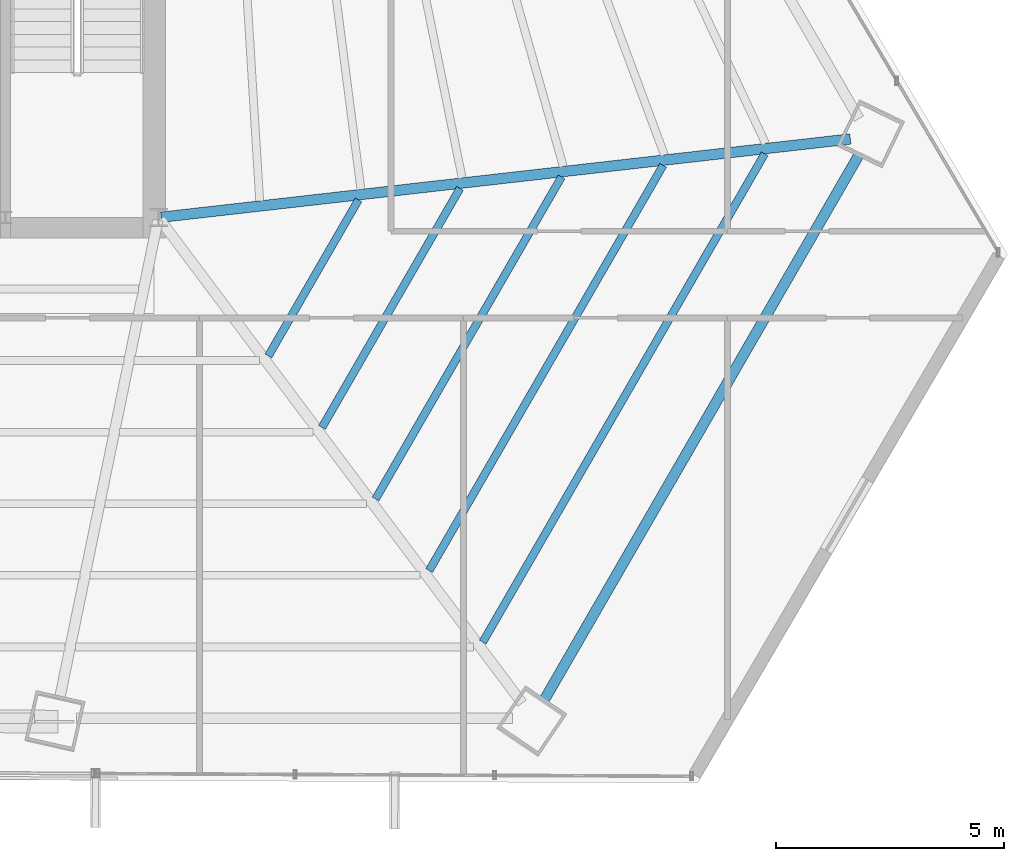
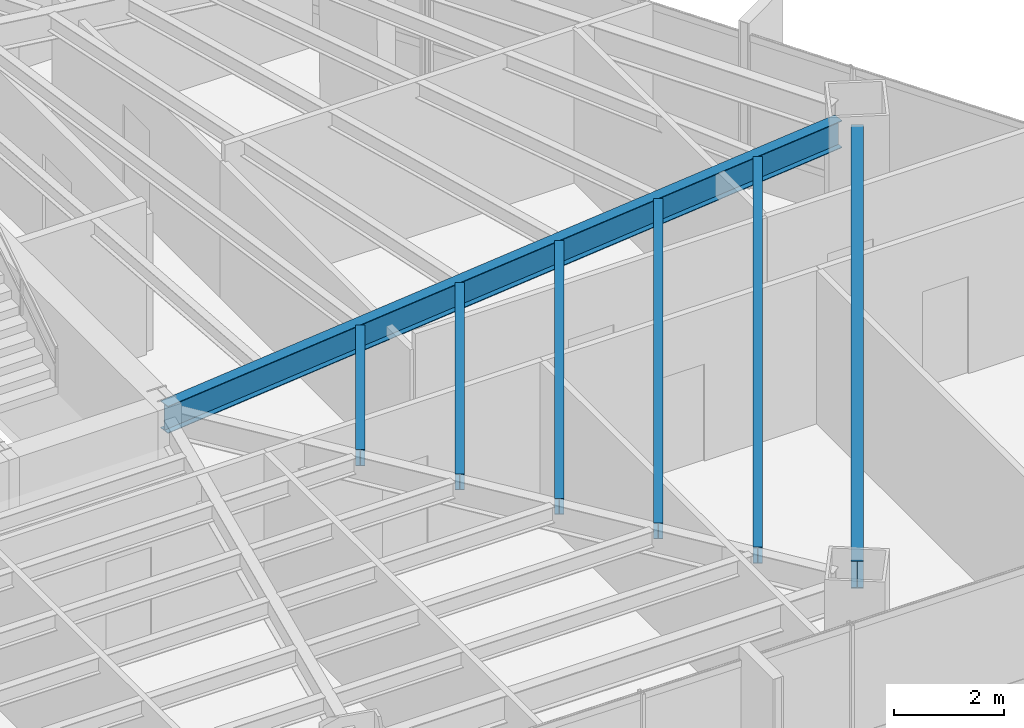
# One storey, part 18 of 37: 7 beams.
"""IFC4 building model written with IfcOpenShell, lengths in metres."""

from ifc_helpers import new_model, si_unit, direction, frame, origin, origin_2d, place, context, subcontext, project, spatial, i_section, extrude, source, transform, mapped, material, material_profile, profile_set, type_object, type_shapes, element, save


model = new_model("IFC4")

# Units and contexts
model_context = context("Model", 3, precision=1e-05, world=origin(), true_north=direction((0.0, 1.0)))
body_context = subcontext(model_context, "Body", "Model", "MODEL_VIEW")
ifc_project = project(units=[si_unit("LENGTHUNIT", "METRE"), si_unit("AREAUNIT", "SQUARE_METRE"), si_unit("VOLUMEUNIT", "CUBIC_METRE"), si_unit("PLANEANGLEUNIT", "RADIAN"), si_unit("MASSUNIT", "GRAM", prefix="KILO")], contexts=[model_context])

# Site, building, storey
site_placement = place(None, origin())
site = spatial("IfcSite", under=ifc_project, at=site_placement, CompositionType="ELEMENT")
building_placement = place(site_placement, origin())
building = spatial("IfcBuilding", under=site, at=building_placement, Name="Caelisora Broadcast Tower", CompositionType="ELEMENT")
storey_placement = place(building_placement, frame((0.0, 0.0, 105.39990234375)))
storey = spatial("IfcBuildingStorey", under=building, at=storey_placement, Name="L27", CompositionType="ELEMENT", Elevation=105.39990234375)

# Beams
ifc_material = material(Name="Steel Grade 350 (AS/NZS 3679.1)", Category="steel")
ifc_material_profile_1 = material_profile(ifc_material, i_section(OverallWidth=0.22900390625, OverallDepth=0.611572265625, WebThickness=0.011962890625, FlangeThickness=0.01953125, at=origin_2d()), Name="Steel Grade 350 (AS/NZS 3679.1)")
ifc_profile_set_1 = profile_set([ifc_material_profile_1], Name="Steel Grade 350 (AS/NZS 3679.1)")
beam_type_1 = type_object("IfcBeamType", Name="PG03", PredefinedType="BEAM", material=ifc_profile_set_1)
shared_shape_1 = source(origin(), body_context, "Body", "SweptSolid", [
    extrude(i_section(OverallWidth=0.22900390625, OverallDepth=0.611572265625, WebThickness=0.011962890625, FlangeThickness=0.01953125, at=origin_2d()), origin(), (0.0, 0.0, 1.0), 13.811767578125),
])
type_shapes(beam_type_1, [shared_shape_1])
beam_1_placement = place(storey_placement, frame((53.959228515625, 6.811767578125, 3.09423828125), z_axis=(0.500011643316, 0.866018681408, 0.0), x_axis=(-0.866018681408, 0.500011643316, 0.0)))
element("IfcBeam", 1, at=beam_1_placement, inside=storey, type_object=beam_type_1, Name="L27 beam PG03", PredefinedType="BEAM", context=body_context, shape_type="MappedRepresentation", body=[
    mapped(shared_shape_1, transform((0.0, 0.0, 0.0), scale=1.0)),
])
ifc_material_profile_2 = material_profile(ifc_material, i_section(OverallWidth=0.22802734375, OverallDepth=0.602294921875, WebThickness=0.010498046875, FlangeThickness=0.014892578125, at=origin_2d()), Name="Steel Grade 350 (AS/NZS 3679.1)")
ifc_profile_set_2 = profile_set([ifc_material_profile_2], Name="Steel Grade 350 (AS/NZS 3679.1)")
beam_type_2 = type_object("IfcBeamType", Name="PG04", PredefinedType="BEAM", material=ifc_profile_set_2)
shared_shape_2 = source(origin(), body_context, "Body", "SweptSolid", [
    extrude(i_section(OverallWidth=0.22802734375, OverallDepth=0.602294921875, WebThickness=0.010498046875, FlangeThickness=0.014892578125, at=origin_2d()), origin(), (0.0, 0.0, 1.0), 15.215576171875),
])
type_shapes(beam_type_2, [shared_shape_2])
beam_2_placement = place(storey_placement, frame((45.5595703125, 17.40673828125, 3.098876953125), z_axis=(0.993612330494, 0.112847404447, 0.0), x_axis=(-0.112847404447, 0.993612330494, 0.0)))
element("IfcBeam", 2, at=beam_2_placement, inside=storey, type_object=beam_type_2, Name="L27 beam PG04", PredefinedType="BEAM", context=body_context, shape_type="MappedRepresentation", body=[
    mapped(shared_shape_2, transform((0.0, 0.0, 0.0), scale=1.0)),
])
ifc_material_profile_3 = material_profile(ifc_material, i_section(OverallWidth=0.172119140625, OverallDepth=0.358642578125, WebThickness=0.008056640625, FlangeThickness=0.012939453125, at=origin_2d()), Name="Steel Grade 350 (AS/NZS 3679.1)")
ifc_profile_set_3 = profile_set([ifc_material_profile_3], Name="Steel Grade 350 (AS/NZS 3679.1)")
beam_type_3 = type_object("IfcBeamType", Name="SB02", PredefinedType="JOIST", material=ifc_profile_set_3)
shared_shape_3 = source(origin(), body_context, "Body", "SweptSolid", [
    extrude(i_section(OverallWidth=0.172119140625, OverallDepth=0.358642578125, WebThickness=0.008056640625, FlangeThickness=0.012939453125, at=origin_2d()), origin(), (0.0, 0.0, 1.0), 3.949462890625),
])
beam_3_placement = place(storey_placement, frame((47.91162109375, 14.36572265625, 3.220703125), z_axis=(0.500041729889, 0.866001309681, 0.0), x_axis=(-0.866001309681, 0.500041729889, 0.0)))
element("IfcBeam", 3, at=beam_3_placement, inside=storey, type_object=beam_type_3, Name="L27 beam SB02", PredefinedType="JOIST", context=body_context, shape_type="MappedRepresentation", body=[
    mapped(shared_shape_3, transform((0.0, 0.0, 0.0), scale=1.0)),
])
shared_shape_4 = source(origin(), body_context, "Body", "SweptSolid", [
    extrude(i_section(OverallWidth=0.172119140625, OverallDepth=0.358642578125, WebThickness=0.008056640625, FlangeThickness=0.012939453125, at=origin_2d()), origin(), (0.0, 0.0, 1.0), 6.0537109375),
])
beam_4_placement = place(storey_placement, frame((49.08740234375, 12.796142578125, 3.220703125), z_axis=(0.499999404726, 0.866025747466, 0.0), x_axis=(-0.866025747466, 0.499999404726, 0.0)))
element("IfcBeam", 4, at=beam_4_placement, inside=storey, type_object=beam_type_3, Name="L27 beam SB02", PredefinedType="JOIST", context=body_context, shape_type="MappedRepresentation", body=[
    mapped(shared_shape_4, transform((0.0, 0.0, 0.0), scale=1.0)),
])
shared_shape_5 = source(origin(), body_context, "Body", "SweptSolid", [
    extrude(i_section(OverallWidth=0.172119140625, OverallDepth=0.358642578125, WebThickness=0.008056640625, FlangeThickness=0.012939453125, at=origin_2d()), origin(), (0.0, 0.0, 1.0), 8.158203125),
])
beam_5_placement = place(storey_placement, frame((50.262939453125, 11.226806640625, 3.220703125), z_axis=(0.50000135923, 0.866024619031, 0.0), x_axis=(-0.866024619031, 0.50000135923, 0.0)))
element("IfcBeam", 5, at=beam_5_placement, inside=storey, type_object=beam_type_3, Name="L27 beam SB02", PredefinedType="JOIST", context=body_context, shape_type="MappedRepresentation", body=[
    mapped(shared_shape_5, transform((0.0, 0.0, 0.0), scale=1.0)),
])
shared_shape_6 = source(origin(), body_context, "Body", "SweptSolid", [
    extrude(i_section(OverallWidth=0.172119140625, OverallDepth=0.358642578125, WebThickness=0.008056640625, FlangeThickness=0.012939453125, at=origin_2d()), origin(), (0.0, 0.0, 1.0), 10.262939453125),
])
beam_6_placement = place(storey_placement, frame((51.438720703125, 9.656982421875, 3.220703125), z_axis=(0.499992211244, 0.866029900578, 0.0), x_axis=(-0.866029900578, 0.499992211244, 0.0)))
element("IfcBeam", 6, at=beam_6_placement, inside=storey, type_object=beam_type_3, Name="L27 beam SB02", PredefinedType="JOIST", context=body_context, shape_type="MappedRepresentation", body=[
    mapped(shared_shape_6, transform((0.0, 0.0, 0.0), scale=1.0)),
])
shared_shape_7 = source(origin(), body_context, "Body", "SweptSolid", [
    extrude(i_section(OverallWidth=0.172119140625, OverallDepth=0.358642578125, WebThickness=0.008056640625, FlangeThickness=0.012939453125, at=origin_2d()), origin(), (0.0, 0.0, 1.0), 12.367431640625),
])
type_shapes(beam_type_3, [shared_shape_3, shared_shape_4, shared_shape_5, shared_shape_6, shared_shape_7])
beam_7_placement = place(storey_placement, frame((52.6142578125, 8.087646484375, 3.220703125), z_axis=(0.49999472462, 0.866028449505, 0.0), x_axis=(-0.866028449505, 0.49999472462, 0.0)))
element("IfcBeam", 7, at=beam_7_placement, inside=storey, type_object=beam_type_3, Name="L27 beam SB02", PredefinedType="JOIST", context=body_context, shape_type="MappedRepresentation", body=[
    mapped(shared_shape_7, transform((0.0, 0.0, 0.0), scale=1.0)),
])

save(model, "model.ifc")
